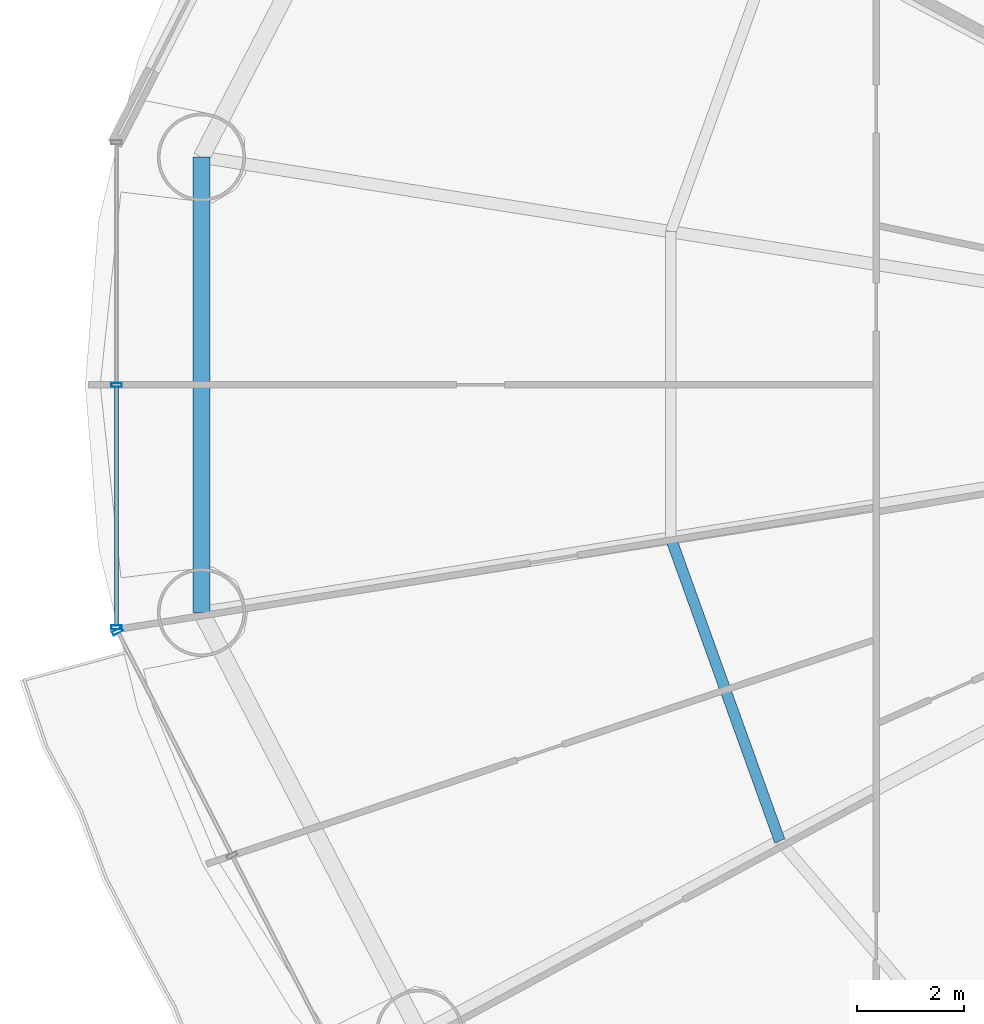
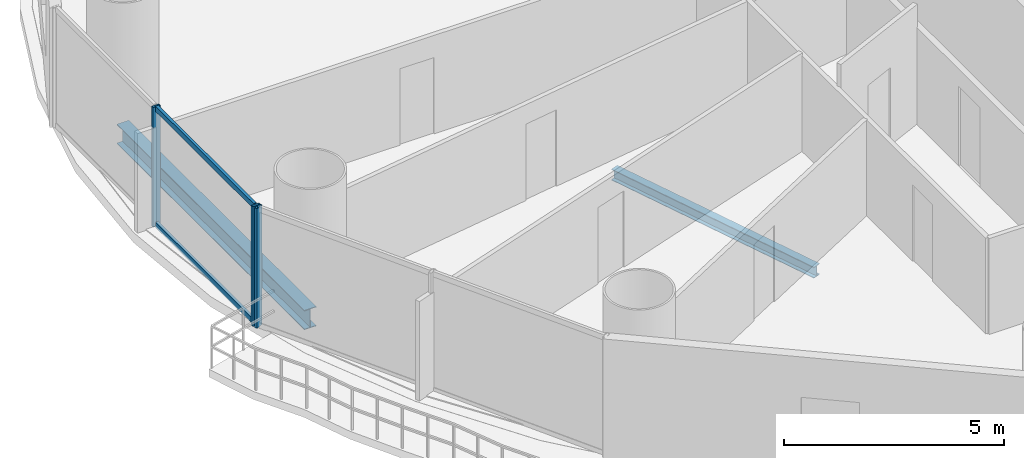
# One storey, part 6 of 29: 5 members, 2 beams, 2 elements without a shape of their own.
"""IFC4 building model written with IfcOpenShell, lengths in metres."""

from ifc_helpers import new_model, si_unit, direction, frame, origin, origin_2d, place, context, subcontext, project, spatial, hollow_rectangle, i_section, extrude, source, transform, mapped, material, material_profile, profile_set, type_object, element, aggregate, save


model = new_model("IFC4")

# Units and contexts
model_context = context("Model", 3, precision=1e-05, world=origin(), true_north=direction((-0.2419218956, 0.970295726276)))
body_context = subcontext(model_context, "Body", "Model", "MODEL_VIEW")
ifc_project = project(units=[si_unit("LENGTHUNIT", "METRE"), si_unit("AREAUNIT", "SQUARE_METRE"), si_unit("VOLUMEUNIT", "CUBIC_METRE"), si_unit("PLANEANGLEUNIT", "RADIAN"), si_unit("MASSUNIT", "GRAM", prefix="KILO")], contexts=[model_context])

# Site, building, storey
site_placement = place(None, origin())
site = spatial("IfcSite", under=ifc_project, at=site_placement, CompositionType="ELEMENT")
building_placement = place(site_placement, origin())
building = spatial("IfcBuilding", under=site, at=building_placement, Name="Cobrevalo Terracotta Tower", CompositionType="ELEMENT")
storey_placement = place(building_placement, frame((0.0, 0.0, 52.800048828125)))
storey = spatial("IfcBuildingStorey", under=building, at=storey_placement, Name="L13", CompositionType="ELEMENT", Elevation=52.800048828125)

# Beams
ifc_material_1 = material(Name="Steel S355", Category="steel")
ifc_material_profile_1 = material_profile(ifc_material_1, i_section(OverallWidth=0.2041015625, OverallDepth=0.305908203125, WebThickness=0.008544921875, FlangeThickness=0.0146484375, at=origin_2d()), Name="W 310x67")
ifc_profile_set_1 = profile_set([ifc_material_profile_1], Name="Steel S355")
beam_type_1 = type_object("IfcBeamType", Name="Structural Joist W 310x67 (Steel S355)", PredefinedType="JOIST", material=ifc_profile_set_1)
beam_1_placement = place(storey_placement, frame((19.960205078125, 23.933349609375, -0.43310546875), z_axis=(0.338672151116, -0.940904444701, 0.0), x_axis=(0.940904444701, 0.338672151116, 0.0)))
element("IfcBeam", 1, at=beam_1_placement, inside=storey, type_object=beam_type_1, Name="L13 circumferential secondary floor joist 09", PredefinedType="JOIST", context=body_context, shape_type="SweptSolid", body=[
    extrude(i_section(OverallWidth=0.2041015625, OverallDepth=0.305908203125, WebThickness=0.008544921875, FlangeThickness=0.0146484375, at=origin_2d()), origin(), (0.0, 0.0, 1.0), 6.029296875),
])
ifc_material_profile_2 = material_profile(ifc_material_1, i_section(OverallWidth=0.31201171875, OverallDepth=0.54296875, WebThickness=0.0126953125, FlangeThickness=0.020263671875, at=origin_2d()), Name="W 530x150")
ifc_profile_set_2 = profile_set([ifc_material_profile_2], Name="Steel S355")
beam_type_2 = type_object("IfcBeamType", Name="Structural Spandrel W 530x150 (Steel S355)", PredefinedType="SPANDREL", material=ifc_profile_set_2)
beam_2_placement = place(storey_placement, frame((11.175537109375, 31.062744140625, -0.551513671875), z_axis=(0.0, -1.0, 0.0), x_axis=(1.0, 0.0, 0.0)))
element("IfcBeam", 2, at=beam_2_placement, inside=storey, type_object=beam_type_2, Name="L13 perimeter ring spandrel 08", PredefinedType="SPANDREL", context=body_context, shape_type="SweptSolid", body=[
    extrude(i_section(OverallWidth=0.31201171875, OverallDepth=0.54296875, WebThickness=0.0126953125, FlangeThickness=0.020263671875, at=origin_2d()), origin(), (0.0, 0.0, 1.0), 8.525390625),
])

# Curtain wall, members
ifc_material_2 = material(Name="Anodized aluminium", Category="aluminium")
curtain_wall_type = type_object("IfcCurtainWallType", Name="Lower-tower unitised acoustic low-E curtain wall CW-U1", PredefinedType="NOTDEFINED", material=ifc_material_2)
curtain_wall_1_placement = place(storey_placement, origin())
curtain_wall_1 = element("IfcCurtainWall", 3, at=curtain_wall_1_placement, inside=storey, type_object=curtain_wall_type, Name="L13 curtain wall CW-L13-S08", PredefinedType="NOTDEFINED")
ifc_material_profile_3 = material_profile(ifc_material_2, hollow_rectangle(XDim=0.074951171875, YDim=0.199951171875, WallThickness=0.0048828125, at=origin_2d()), Name="CWM 75x200")
ifc_profile_set_3 = profile_set([ifc_material_profile_3], Name="Anodized aluminium")
member_type_1 = type_object("IfcMemberType", Name="Lower/mid tower unitised mullion 75x200", PredefinedType="MULLION", material=ifc_profile_set_3)
shared_shape_1 = source(origin(), body_context, "Body", "SweptSolid", [
    extrude(hollow_rectangle(XDim=0.074951171875, YDim=0.199951171875, WallThickness=0.0048828125, at=origin_2d()), origin(), (0.0, 0.0, 1.0), 3.320068359375),
])
member_1_placement = place(storey_placement, frame((9.586669921875, 26.800048828125, 0.0), z_axis=(0.0, 0.0, 1.0), x_axis=(0.0, -1.0, 0.0)))
member_1 = element("IfcMember", 4, at=member_1_placement, type_object=member_type_1, Name="CW-L13-S08 vertical mullion 02", PredefinedType="MULLION", context=body_context, shape_type="MappedRepresentation", body=[
    mapped(shared_shape_1, transform((0.0, 0.0, 0.0), scale=1.0)),
])
member_2_placement = place(storey_placement, frame((9.586669921875, 22.26123046875, 0.0), z_axis=(0.0, 0.0, 1.0), x_axis=(0.0, -1.0, 0.0)))
member_2 = element("IfcMember", 5, at=member_2_placement, type_object=member_type_1, Name="CW-L13-S08 vertical mullion 03", PredefinedType="MULLION", context=body_context, shape_type="MappedRepresentation", body=[
    mapped(shared_shape_1, transform((0.0, 0.0, 0.0), scale=1.0)),
])

# Curtain wall, member
curtain_wall_2_placement = place(storey_placement, origin())
curtain_wall_2 = element("IfcCurtainWall", 6, at=curtain_wall_2_placement, inside=storey, type_object=curtain_wall_type, Name="L13 curtain wall CW-L13-S09", PredefinedType="NOTDEFINED")
member_3_placement = place(storey_placement, frame((9.60498046875, 22.185546875, 0.0), z_axis=(0.0, 0.0, 1.0), x_axis=(0.455234136597, -0.890371765543, 0.0)))
member_3 = element("IfcMember", 7, at=member_3_placement, type_object=member_type_1, Name="CW-L13-S09 vertical mullion 01", PredefinedType="MULLION", context=body_context, shape_type="MappedRepresentation", body=[
    mapped(shared_shape_1, transform((0.0, 0.0, 0.0), scale=1.0)),
])
aggregate(curtain_wall_2, [member_3])

# Member
ifc_material_profile_4 = material_profile(ifc_material_2, hollow_rectangle(XDim=0.074951171875, YDim=0.14990234375, WallThickness=0.00439453125, at=origin_2d()), Name="CWT 75x150")
ifc_profile_set_4 = profile_set([ifc_material_profile_4], Name="Anodized aluminium")
member_type_2 = type_object("IfcMemberType", Name="Tower unitised aluminium transom 75x150", PredefinedType="USERDEFINED", material=ifc_profile_set_4)
shared_shape_2 = source(origin(), body_context, "Body", "SweptSolid", [
    extrude(hollow_rectangle(XDim=0.074951171875, YDim=0.14990234375, WallThickness=0.00439453125, at=origin_2d()), origin(), (0.0, 0.0, 1.0), 4.458740234375),
])
member_4_placement = place(storey_placement, frame((9.586669921875, 26.760009765625, 0.050048828125), z_axis=(0.0, -1.0, 0.0), x_axis=(1.0, 0.0, 0.0)))
member_4 = element("IfcMember", 8, at=member_4_placement, type_object=member_type_2, Name="CW-L13-S08 transom B02-T1", ObjectType="TRANSOM", PredefinedType="USERDEFINED", context=body_context, shape_type="MappedRepresentation", body=[
    mapped(shared_shape_2, transform((0.0, 0.0, 0.0), scale=1.0)),
])

member_5_placement = place(storey_placement, frame((9.586669921875, 26.760009765625, 3.27001953125), z_axis=(0.0, -1.0, 0.0), x_axis=(1.0, 0.0, 0.0)))
member_5 = element("IfcMember", 9, at=member_5_placement, type_object=member_type_2, Name="CW-L13-S08 transom B02-T2", ObjectType="TRANSOM", PredefinedType="USERDEFINED", context=body_context, shape_type="MappedRepresentation", body=[
    mapped(shared_shape_2, transform((0.0, 0.0, 0.0), scale=1.0)),
])

aggregate(curtain_wall_1, [member_1, member_2, member_4, member_5])

save(model, "model.ifc")
